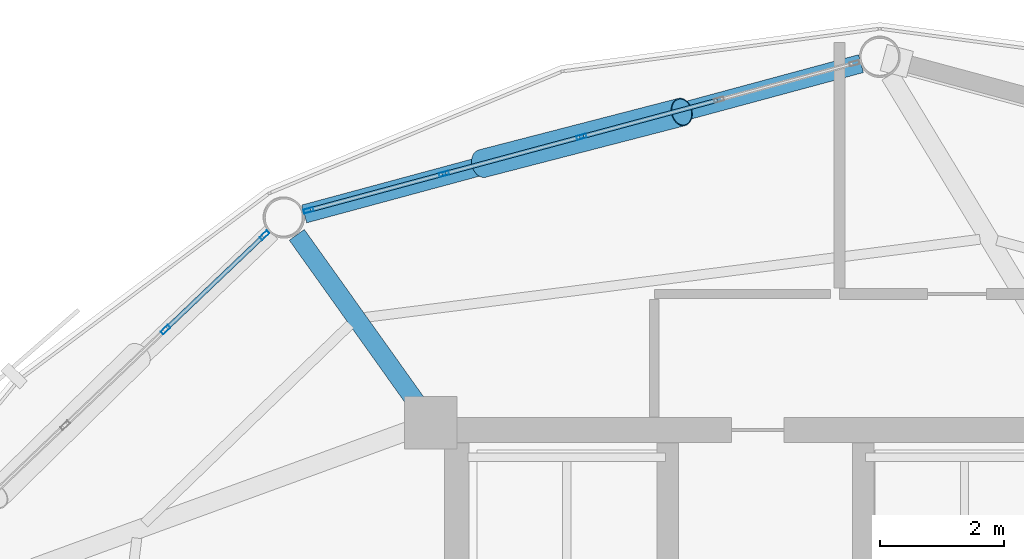
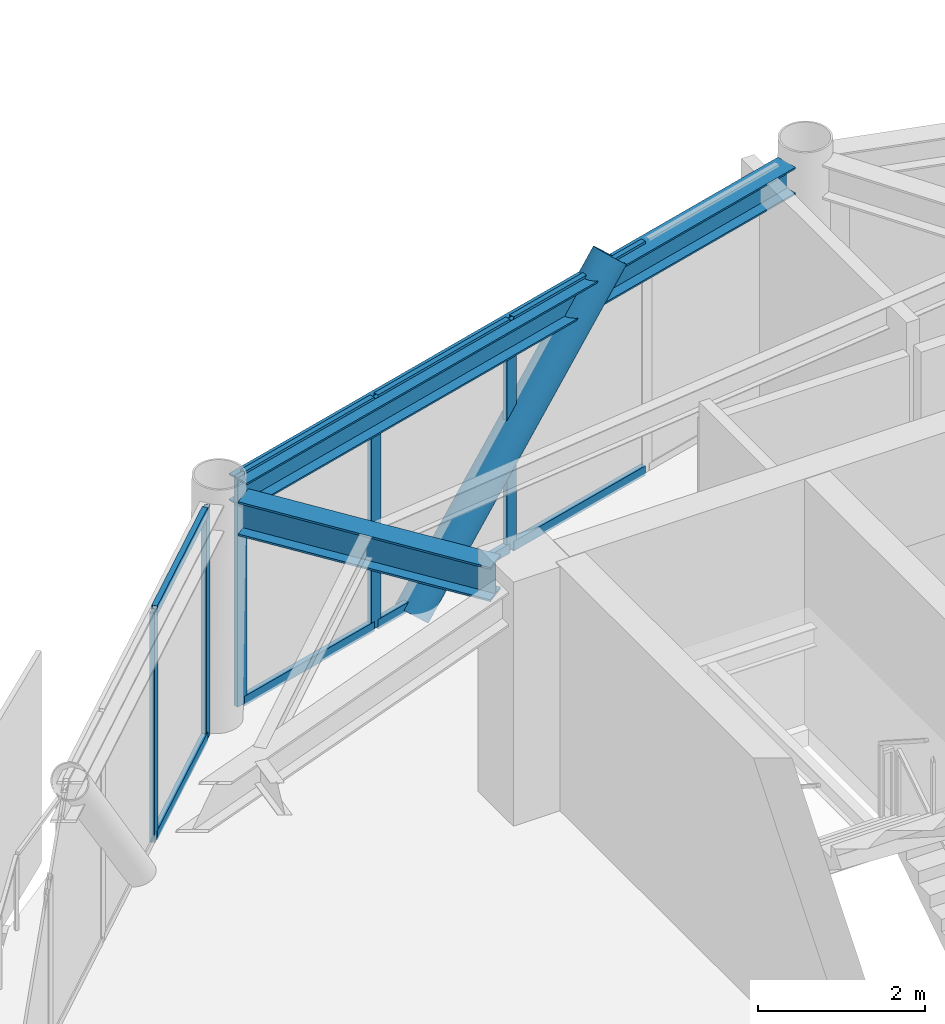
# One storey, part 19 of 28: 14 members, 2 beams, 2 elements without a shape of their own.
"""IFC4 building model written with IfcOpenShell, lengths in metres."""

from ifc_helpers import new_model, si_unit, direction, frame, origin, origin_2d, place, context, subcontext, project, spatial, hollow_rectangle, hollow_circle, i_section, extrude, material, layer, layer_set, material_profile, profile_set, type_object, element, aggregate, save


model = new_model("IFC4")

# Units and contexts
model_context = context("Model", 3, precision=1e-05, world=origin(), true_north=direction((0.0, 1.0)))
body_context = subcontext(model_context, "Body", "Model", "MODEL_VIEW")
ifc_project = project(units=[si_unit("LENGTHUNIT", "METRE"), si_unit("AREAUNIT", "SQUARE_METRE"), si_unit("VOLUMEUNIT", "CUBIC_METRE"), si_unit("PLANEANGLEUNIT", "RADIAN"), si_unit("MASSUNIT", "GRAM", prefix="KILO")], contexts=[model_context])

# Site, building, storey
site_placement = place(None, origin())
site = spatial("IfcSite", under=ifc_project, at=site_placement, CompositionType="ELEMENT")
building_placement = place(site_placement, origin())
building = spatial("IfcBuilding", under=site, at=building_placement, Name="Varnakorn Sky Granary", CompositionType="ELEMENT")
storey_placement = place(building_placement, frame((0.0, 0.0, 196.800048828125)))
storey = spatial("IfcBuildingStorey", under=building, at=storey_placement, Name="L49", CompositionType="ELEMENT", Elevation=196.800048828125)

# Beams
ifc_material_1 = material(Name="Steel S355JR", Category="steel")
ifc_material_profile_1 = material_profile(ifc_material_1, i_section(OverallWidth=0.300048828125, OverallDepth=0.5, WebThickness=0.014404296875, FlangeThickness=0.028076171875, at=origin_2d()), Name="HE 500 B")
ifc_profile_set_1 = profile_set([ifc_material_profile_1], Name="Steel S355JR")
beam_type_1 = type_object("IfcBeamType", Name="BM-RAD-Z4", PredefinedType="BEAM", material=ifc_profile_set_1)
beam_1_placement = place(storey_placement, frame((-2.6552734375, 12.94970703125, 3.10986328125), z_axis=(-0.580648183116, 0.814154584488, 0.0), x_axis=(-0.814154584488, -0.580648183116, 0.0)))
element("IfcBeam", 1, at=beam_1_placement, inside=storey, type_object=beam_type_1, Name="Radial Floor Girder RG05 L49", PredefinedType="BEAM", context=body_context, shape_type="SweptSolid", body=[
    extrude(i_section(OverallWidth=0.300048828125, OverallDepth=0.5, WebThickness=0.014404296875, FlangeThickness=0.028076171875, at=origin_2d()), origin(), (0.0, 0.0, 1.0), 3.327880859375),
])
ifc_material_profile_2 = material_profile(ifc_material_1, i_section(OverallWidth=0.300048828125, OverallDepth=0.39990234375, WebThickness=0.013427734375, FlangeThickness=0.02392578125, at=origin_2d()), Name="HE 400 B")
ifc_profile_set_2 = profile_set([ifc_material_profile_2], Name="Steel S355JR")
beam_type_2 = type_object("IfcBeamType", Name="BM-SPD-Z4", PredefinedType="SPANDREL", material=ifc_profile_set_2)
beam_2_placement = place(storey_placement, frame((4.5458984375, 18.430908203125, 3.159912109375), z_axis=(-0.965434216074, -0.260646838527, 0.0), x_axis=(0.260646838527, -0.965434216074, 0.0)))
element("IfcBeam", 2, at=beam_2_placement, inside=storey, type_object=beam_type_2, Name="Perimeter Spandrel Ring Beam RB04 L49", PredefinedType="SPANDREL", context=body_context, shape_type="SweptSolid", body=[
    extrude(i_section(OverallWidth=0.300048828125, OverallDepth=0.39990234375, WebThickness=0.013427734375, FlangeThickness=0.02392578125, at=origin_2d()), origin(), (0.0, 0.0, 1.0), 9.3349609375),
])

# Curtain wall, members
ifc_material_2 = material(Name="Anodised Bronze Aluminium Alloy 6063-T6", Category="aluminium")
ifc_layer = layer(ifc_material_2, 0.169921875, Name="Anodised Bronze Aluminium Alloy 6063-T6")
ifc_layer_set = layer_set([ifc_layer], Name="Anodised Bronze Aluminium Alloy 6063-T6")
curtain_wall_type = type_object("IfcCurtainWallType", Name="CW-LAB-1", PredefinedType="USERDEFINED", material=ifc_layer_set)
curtain_wall_1_placement = place(storey_placement, origin())
curtain_wall_1 = element("IfcCurtainWall", 3, at=curtain_wall_1_placement, inside=storey, type_object=curtain_wall_type, Name="Unitised Curtain Wall CW5 CW-L49-B04", ObjectType="CURTAIN WALL", PredefinedType="USERDEFINED")
ifc_material_profile_3 = material_profile(ifc_material_2, hollow_rectangle(XDim=0.06494140625, YDim=0.159912109375, WallThickness=0.00341796875, at=origin_2d()), Name="ALU MULL 65x160")
ifc_profile_set_3 = profile_set([ifc_material_profile_3], Name="Anodised Bronze Aluminium Alloy 6063-T6")
member_type_1 = type_object("IfcMemberType", Name="CW-LAB-1-MULL", PredefinedType="MULLION", material=ifc_profile_set_3)
member_1_placement = place(storey_placement, frame((-4.396484375, 16.05517578125, 0.0), z_axis=(0.0, 0.0, 1.0), x_axis=(-0.260195590554, 0.965555930362, 0.0)))
member_1 = element("IfcMember", 4, at=member_1_placement, type_object=member_type_1, Name="CW5 mullion 1", PredefinedType="MULLION", context=body_context, shape_type="SweptSolid", body=[
    extrude(hollow_rectangle(XDim=0.06494140625, YDim=0.159912109375, WallThickness=0.00341796875, at=origin_2d()), origin(), (0.0, 0.0, 1.0), 3.35986328125),
])
member_2_placement = place(storey_placement, frame((-2.20263671875, 16.646484375, 0.0), z_axis=(0.0, 0.0, 1.0), x_axis=(-0.260195590554, 0.965555930362, 0.0)))
member_2 = element("IfcMember", 5, at=member_2_placement, type_object=member_type_1, Name="CW5 mullion 2", PredefinedType="MULLION", context=body_context, shape_type="SweptSolid", body=[
    extrude(hollow_rectangle(XDim=0.06494140625, YDim=0.159912109375, WallThickness=0.00341796875, at=origin_2d()), origin(), (0.0, 0.0, 1.0), 3.35986328125),
])
member_3_placement = place(storey_placement, frame((0.022705078125, 17.24609375, 0.0), z_axis=(0.0, 0.0, 1.0), x_axis=(-0.260195590554, 0.965555930362, 0.0)))
member_3 = element("IfcMember", 6, at=member_3_placement, type_object=member_type_1, Name="CW5 mullion 3", PredefinedType="MULLION", context=body_context, shape_type="SweptSolid", body=[
    extrude(hollow_rectangle(XDim=0.06494140625, YDim=0.159912109375, WallThickness=0.00341796875, at=origin_2d()), origin(), (0.0, 0.0, 1.0), 3.35986328125),
])

curtain_wall_2_placement = place(storey_placement, origin())
curtain_wall_2 = element("IfcCurtainWall", 7, at=curtain_wall_2_placement, inside=storey, type_object=curtain_wall_type, Name="Unitised Curtain Wall CW5 CW-L49-B05", ObjectType="CURTAIN WALL", PredefinedType="USERDEFINED")
member_4_placement = place(storey_placement, frame((-6.71240234375, 14.1259765625, 0.0), z_axis=(0.0, 0.0, 1.0), x_axis=(-0.690097158605, 0.723716734424, 0.0)))
member_4 = element("IfcMember", 8, at=member_4_placement, type_object=member_type_1, Name="CW5 mullion 4", PredefinedType="MULLION", context=body_context, shape_type="SweptSolid", body=[
    extrude(hollow_rectangle(XDim=0.06494140625, YDim=0.159912109375, WallThickness=0.00341796875, at=origin_2d()), origin(), (0.0, 0.0, 1.0), 3.35986328125),
])
member_5_placement = place(storey_placement, frame((-5.110107421875, 15.65380859375, 0.0), z_axis=(0.0, 0.0, 1.0), x_axis=(-0.690097158605, 0.723716734424, 0.0)))
member_5 = element("IfcMember", 9, at=member_5_placement, type_object=member_type_1, Name="CW5 mullion 5", PredefinedType="MULLION", context=body_context, shape_type="SweptSolid", body=[
    extrude(hollow_rectangle(XDim=0.06494140625, YDim=0.159912109375, WallThickness=0.00341796875, at=origin_2d()), origin(), (0.0, 0.0, 1.0), 3.35986328125),
])

# Member
ifc_material_profile_4 = material_profile(ifc_material_2, hollow_rectangle(XDim=0.070068359375, YDim=0.139892578125, WallThickness=0.00341796875, at=origin_2d()), Name="ALU TRAN 70x140")
ifc_profile_set_4 = profile_set([ifc_material_profile_4], Name="Anodised Bronze Aluminium Alloy 6063-T6")
member_type_2 = type_object("IfcMemberType", Name="CW-LAB-1-TRAN", PredefinedType="USERDEFINED", material=ifc_profile_set_4)
member_6_placement = place(storey_placement, frame((-4.365234375, 16.063720703125, 0.034912109375), z_axis=(0.965570892415, 0.260140061737, 0.0), x_axis=(-0.260140061737, 0.965570892415, 0.0)))
member_6 = element("IfcMember", 10, at=member_6_placement, type_object=member_type_2, Name="CW5 transom 1.1", ObjectType="TRANSOM", PredefinedType="USERDEFINED", context=body_context, shape_type="SweptSolid", body=[
    extrude(hollow_rectangle(XDim=0.070068359375, YDim=0.139892578125, WallThickness=0.00341796875, at=origin_2d()), origin(), (0.0, 0.0, 1.0), 2.207275390625),
])

member_7_placement = place(storey_placement, frame((-4.365234375, 16.063720703125, 3.324951171875), z_axis=(0.965570892415, 0.260140061737, 0.0), x_axis=(-0.260140061737, 0.965570892415, 0.0)))
member_7 = element("IfcMember", 11, at=member_7_placement, type_object=member_type_2, Name="CW5 transom 1.2", ObjectType="TRANSOM", PredefinedType="USERDEFINED", context=body_context, shape_type="SweptSolid", body=[
    extrude(hollow_rectangle(XDim=0.070068359375, YDim=0.139892578125, WallThickness=0.00341796875, at=origin_2d()), origin(), (0.0, 0.0, 1.0), 2.207275390625),
])

member_8_placement = place(storey_placement, frame((-2.171142578125, 16.655029296875, 0.034912109375), z_axis=(0.96555679641, 0.260192376725, 0.0), x_axis=(-0.260192376725, 0.96555679641, 0.0)))
member_8 = element("IfcMember", 12, at=member_8_placement, type_object=member_type_2, Name="CW5 transom 2.1", ObjectType="TRANSOM", PredefinedType="USERDEFINED", context=body_context, shape_type="SweptSolid", body=[
    extrude(hollow_rectangle(XDim=0.070068359375, YDim=0.139892578125, WallThickness=0.00341796875, at=origin_2d()), origin(), (0.0, 0.0, 1.0), 2.23974609375),
])

member_9_placement = place(storey_placement, frame((-2.171142578125, 16.655029296875, 3.324951171875), z_axis=(0.96555679641, 0.260192376725, 0.0), x_axis=(-0.260192376725, 0.96555679641, 0.0)))
member_9 = element("IfcMember", 13, at=member_9_placement, type_object=member_type_2, Name="CW5 transom 2.2", ObjectType="TRANSOM", PredefinedType="USERDEFINED", context=body_context, shape_type="SweptSolid", body=[
    extrude(hollow_rectangle(XDim=0.070068359375, YDim=0.139892578125, WallThickness=0.00341796875, at=origin_2d()), origin(), (0.0, 0.0, 1.0), 2.23974609375),
])

member_10_placement = place(storey_placement, frame((0.05419921875, 17.254638671875, 0.034912109375), z_axis=(0.96555679641, 0.260192376725, 0.0), x_axis=(-0.260192376725, 0.96555679641, 0.0)))
member_10 = element("IfcMember", 14, at=member_10_placement, type_object=member_type_2, Name="CW5 transom 3.1", ObjectType="TRANSOM", PredefinedType="USERDEFINED", context=body_context, shape_type="SweptSolid", body=[
    extrude(hollow_rectangle(XDim=0.070068359375, YDim=0.139892578125, WallThickness=0.00341796875, at=origin_2d()), origin(), (0.0, 0.0, 1.0), 2.23974609375),
])

member_11_placement = place(storey_placement, frame((0.05419921875, 17.254638671875, 3.324951171875), z_axis=(0.96555679641, 0.260192376725, 0.0), x_axis=(-0.260192376725, 0.96555679641, 0.0)))
member_11 = element("IfcMember", 15, at=member_11_placement, type_object=member_type_2, Name="CW5 transom 3.2", ObjectType="TRANSOM", PredefinedType="USERDEFINED", context=body_context, shape_type="SweptSolid", body=[
    extrude(hollow_rectangle(XDim=0.070068359375, YDim=0.139892578125, WallThickness=0.00341796875, at=origin_2d()), origin(), (0.0, 0.0, 1.0), 2.23974609375),
])

aggregate(curtain_wall_1, [member_1, member_2, member_3, member_6, member_7, member_8, member_9, member_10, member_11])

member_12_placement = place(storey_placement, frame((-6.68896484375, 14.1484375, 0.034912109375), z_axis=(0.723721709612, 0.690091941002, 0.0), x_axis=(-0.690091941002, 0.723721709612, 0.0)))
member_12 = element("IfcMember", 16, at=member_12_placement, type_object=member_type_2, Name="CW5 transom 4.1", ObjectType="TRANSOM", PredefinedType="USERDEFINED", context=body_context, shape_type="SweptSolid", body=[
    extrude(hollow_rectangle(XDim=0.070068359375, YDim=0.139892578125, WallThickness=0.00341796875, at=origin_2d()), origin(), (0.0, 0.0, 1.0), 2.14892578125),
])

member_13_placement = place(storey_placement, frame((-6.68896484375, 14.1484375, 3.324951171875), z_axis=(0.723721709612, 0.690091941002, 0.0), x_axis=(-0.690091941002, 0.723721709612, 0.0)))
member_13 = element("IfcMember", 17, at=member_13_placement, type_object=member_type_2, Name="CW5 transom 4.2", ObjectType="TRANSOM", PredefinedType="USERDEFINED", context=body_context, shape_type="SweptSolid", body=[
    extrude(hollow_rectangle(XDim=0.070068359375, YDim=0.139892578125, WallThickness=0.00341796875, at=origin_2d()), origin(), (0.0, 0.0, 1.0), 2.14892578125),
])

aggregate(curtain_wall_2, [member_4, member_5, member_12, member_13])

ifc_material_3 = material(Name="Steel S460M", Category="steel")
ifc_material_profile_5 = material_profile(ifc_material_3, hollow_circle(Radius=0.228515625, WallThickness=0.01611328125, at=origin_2d()), Name="CHS 457x16")
ifc_profile_set_5 = profile_set([ifc_material_profile_5], Name="Steel S460M")
member_type_3 = type_object("IfcMemberType", Name="MB-DIAG-T3", PredefinedType="BRACE", material=ifc_profile_set_5)
member_14_placement = place(storey_placement, frame((-1.586181640625, 16.8125, -0.130126953125), z_axis=(0.65605916982, 0.169569572242, 0.735413166774), x_axis=(-0.250243246883, 0.968182997883, 0.0)))
element("IfcMember", 18, at=member_14_placement, inside=storey, type_object=member_type_3, Name="Perimeter CHS Diagrid Brace DG04 L49", PredefinedType="BRACE", context=body_context, shape_type="SweptSolid", body=[
    extrude(hollow_circle(Radius=0.228515625, WallThickness=0.01611328125, at=origin_2d()), origin(), (0.0, 0.0, 1.0), 4.922607421875),
])

save(model, "model.ifc")
